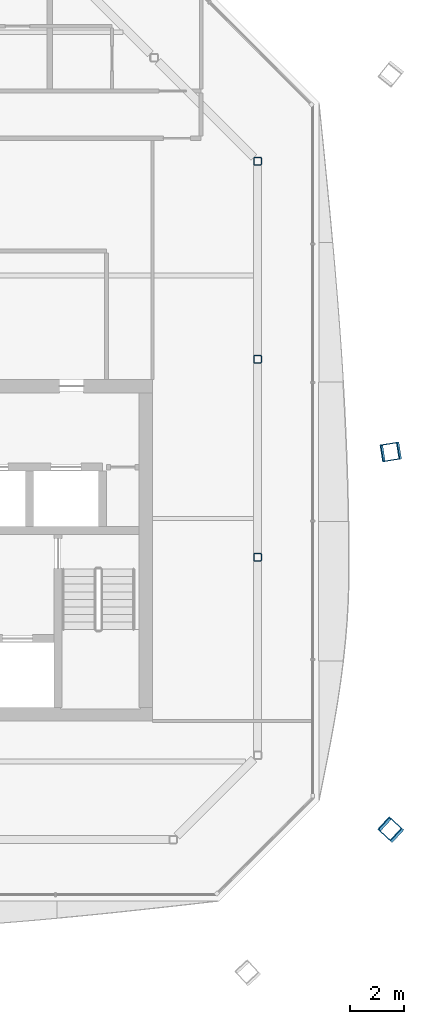
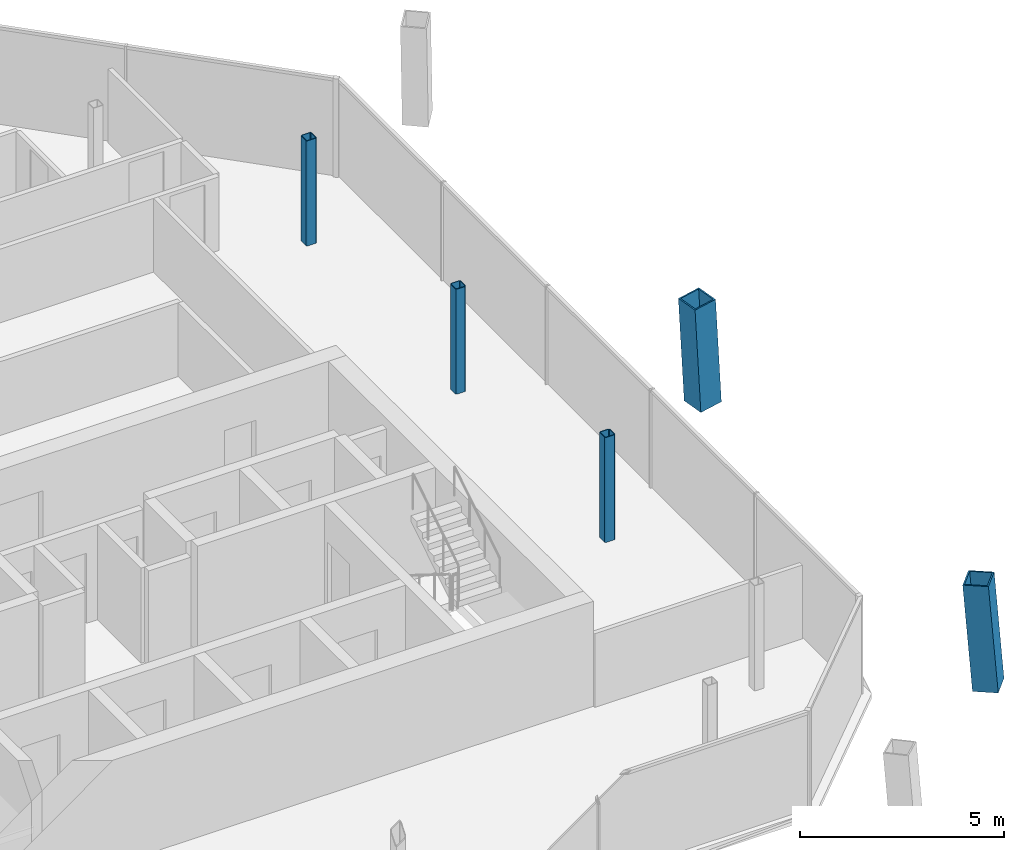
# One storey, part 2 of 17: 5 columns.
"""IFC4 building model written with IfcOpenShell, lengths in metres."""

from ifc_helpers import new_model, si_unit, direction, frame, origin, origin_2d, place, context, subcontext, project, spatial, hollow_rectangle, extrude, material, material_profile, profile_set, type_object, element, save


model = new_model("IFC4")

# Units and contexts
model_context = context("Model", 3, precision=1e-05, world=origin(), true_north=direction((0.0, 1.0)))
body_context = subcontext(model_context, "Body", "Model", "MODEL_VIEW")
ifc_project = project(units=[si_unit("LENGTHUNIT", "METRE"), si_unit("AREAUNIT", "SQUARE_METRE"), si_unit("VOLUMEUNIT", "CUBIC_METRE"), si_unit("PLANEANGLEUNIT", "RADIAN"), si_unit("MASSUNIT", "GRAM", prefix="KILO")], contexts=[model_context])

# Site, building, storey
site_placement = place(None, origin())
site = spatial("IfcSite", under=ifc_project, at=site_placement, CompositionType="ELEMENT")
building_placement = place(site_placement, origin())
building = spatial("IfcBuilding", under=site, at=building_placement, Name="Tskaro Facet Tower", CompositionType="ELEMENT")
storey_placement = place(building_placement, frame((0.0, 0.0, 229.800048828125)))
storey = spatial("IfcBuildingStorey", under=building, at=storey_placement, Name="L59", CompositionType="ELEMENT", Elevation=229.800048828125)

# Columns
ifc_material_1 = material(Name="Steel S355J2", Category="steel")
ifc_material_profile_1 = material_profile(ifc_material_1, hollow_rectangle(XDim=0.64990234375, YDim=0.64990234375, WallThickness=0.0400390625, at=origin_2d()), Name="BOX 650x650x40")
ifc_profile_set_1 = profile_set([ifc_material_profile_1], Name="Steel S355J2")
column_type_1 = type_object("IfcColumnType", Name="BOX 650x650x40 mega column", PredefinedType="COLUMN", material=ifc_profile_set_1)
column_1_placement = place(storey_placement, frame((18.35400390625, -16.052978515625, 0.0), z_axis=(-0.057566388151, 0.052852898651, 0.996941664321), x_axis=(-0.676306475744, -0.736620357353, 0.0)))
element("IfcColumn", 1, at=column_1_placement, inside=storey, type_object=column_type_1, Name="BOX 650x650x40 MC04/5", PredefinedType="COLUMN", context=body_context, shape_type="SweptSolid", body=[
    extrude(hollow_rectangle(XDim=0.64990234375, YDim=0.64990234375, WallThickness=0.0400390625, at=origin_2d()), origin(), (0.0, 0.0, 1.0), 3.15966796875),
])
column_2_placement = place(storey_placement, frame((18.35400390625, -2.032958984375, 0.0), z_axis=(-0.057644517073, -0.009207647693, 0.998294710431), x_axis=(0.157732016924, -0.987481954689, 0.0)))
element("IfcColumn", 2, at=column_2_placement, inside=storey, type_object=column_type_1, Name="BOX 650x650x40 MC05/5", PredefinedType="COLUMN", context=body_context, shape_type="SweptSolid", body=[
    extrude(hollow_rectangle(XDim=0.64990234375, YDim=0.64990234375, WallThickness=0.0400390625, at=origin_2d()), origin(), (0.0, 0.0, 1.0), 3.1552734375),
])
ifc_material_2 = material(Name="Steel S355J2H", Category="steel")
ifc_material_profile_2 = material_profile(ifc_material_2, hollow_rectangle(XDim=0.300048828125, YDim=0.300048828125, WallThickness=0.02001953125, InnerFilletRadius=0.030029296875, OuterFilletRadius=0.050048828125, at=origin_2d()), Name="SHS 300x300x20")
ifc_profile_set_2 = profile_set([ifc_material_profile_2], Name="Steel S355J2H")
column_type_2 = type_object("IfcColumnType", Name="SHS 300x300x20 ring column", PredefinedType="COLUMN", material=ifc_profile_set_2)
for number, where, z_axis, x_axis, name in (
    (3, (13.39111328125, -5.93701171875, 0.0), (0.0, 0.0, 1.0), (1.0, 0.0, 0.0), "SHS 300x300x20 RE-2/5"),
    (4, (13.39111328125, 1.39404296875, 0.0), (0.0, 0.0, 1.0), (1.0, 0.0, 0.0), "SHS 300x300x20 RE-3/5"),
    (5, (13.39111328125, 8.72509765625, 0.0), (0.0, 0.0, 1.0), (1.0, 0.0, 0.0), "SHS 300x300x20 RNE-1/5"),
):
    element("IfcColumn", number, at=place(storey_placement, frame(where, z_axis=z_axis, x_axis=x_axis)), inside=storey, type_object=column_type_2, Name=name, PredefinedType="COLUMN", context=body_context, shape_type="SweptSolid", body=[
        extrude(hollow_rectangle(XDim=0.300048828125, YDim=0.300048828125, WallThickness=0.02001953125, InnerFilletRadius=0.030029296875, OuterFilletRadius=0.050048828125, at=origin_2d()), origin(), (0.0, 0.0, 1.0), 3.14990234375),
    ])

save(model, "model.ifc")
